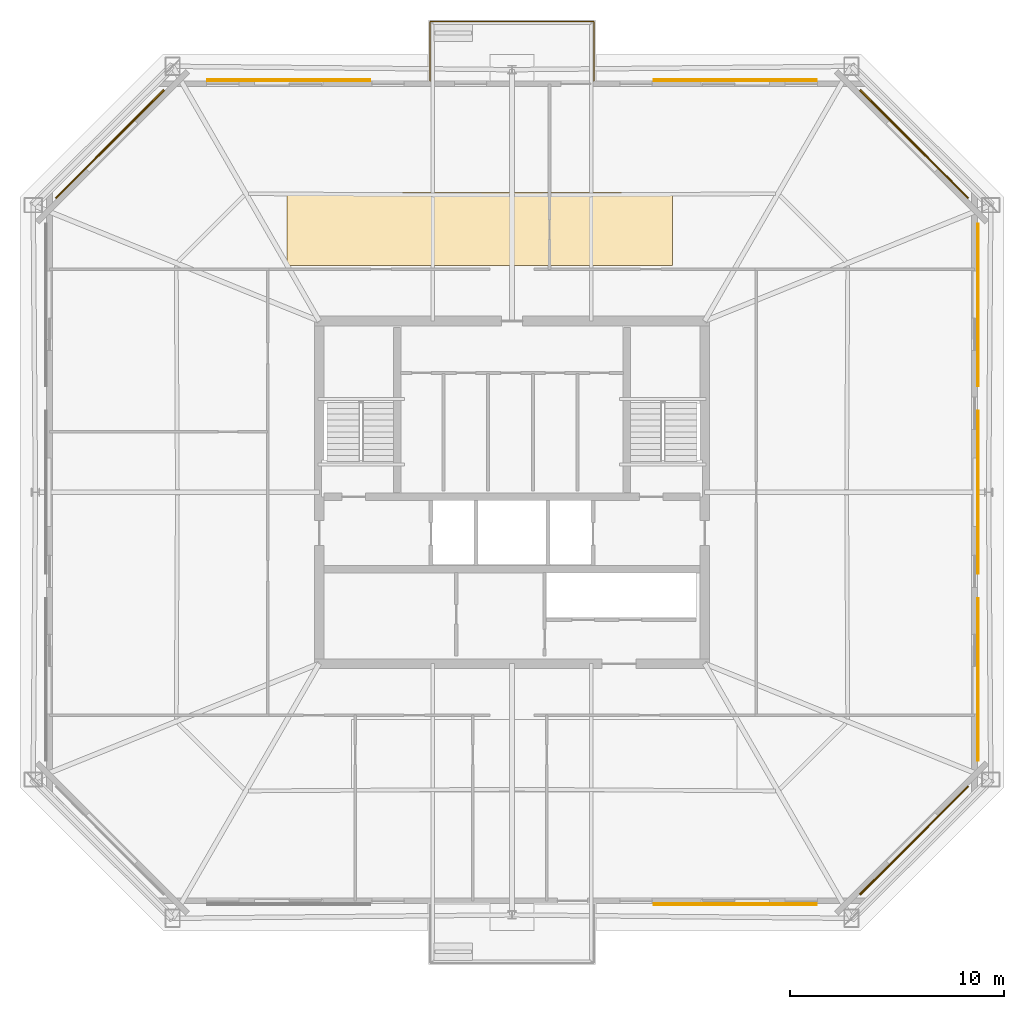
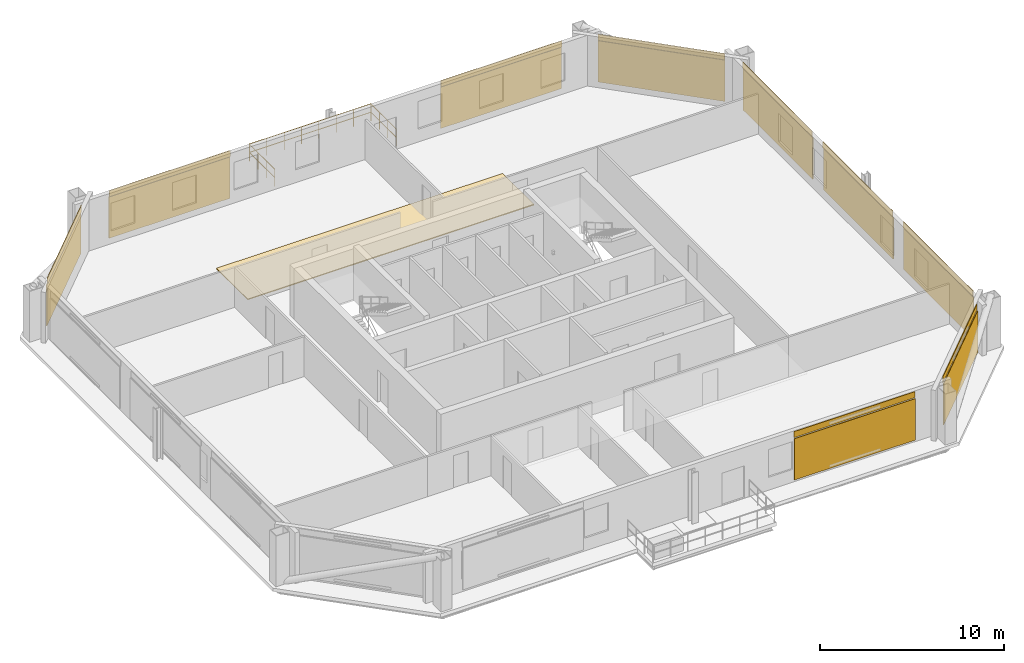
# One storey, part 7 of 7: 10 coverings, 9 shading devices, 1 railing.
"""IFC4 building model written with IfcOpenShell, lengths in metres."""

from ifc_helpers import new_model, si_unit, direction, frame, origin, origin_2d, place, context, subcontext, project, spatial, polyline, rectangle, circle, outline, extrude, material, layer, layer_set, type_object, element, save


model = new_model("IFC4")

# Units and contexts
model_context = context("Model", 3, precision=1e-05, world=origin(), true_north=direction((0.0, 1.0)))
body_context = subcontext(model_context, "Body", "Model", "MODEL_VIEW")
ifc_project = project(units=[si_unit("LENGTHUNIT", "METRE"), si_unit("AREAUNIT", "SQUARE_METRE"), si_unit("VOLUMEUNIT", "CUBIC_METRE"), si_unit("PLANEANGLEUNIT", "RADIAN"), si_unit("MASSUNIT", "GRAM", prefix="KILO")], contexts=[model_context])

# Site, building, storey
site_placement = place(None, origin())
site = spatial("IfcSite", under=ifc_project, at=site_placement, CompositionType="ELEMENT")
building_placement = place(site_placement, origin())
building = spatial("IfcBuilding", under=site, at=building_placement, Name="Caelvoria Tower", CompositionType="ELEMENT")
storey_placement = place(building_placement, frame((0.0, 0.0, 191.39990234375)))
storey = spatial("IfcBuildingStorey", under=building, at=storey_placement, Name="L50", CompositionType="ELEMENT", Elevation=191.39990234375)

# Railing
ifc_material_1 = material(Name="Bronze Anodised Aluminium and Stainless Steel", Category="steel")
railing_type = type_object("IfcRailingType", Name="Exterior Terrace and Balcony Guardrail 1150", PredefinedType="GUARDRAIL", material=ifc_material_1)
railing_placement = place(storey_placement, frame((42.179931640625, 51.219970703125, 0.0)))
element("IfcRailing", 1, at=railing_placement, inside=storey, type_object=railing_type, Name="Tree Balcony Guardrail TB-L50-N", PredefinedType="GUARDRAIL", context=body_context, shape_type="SweptSolid", body=[
    extrude(circle(Radius=0.02392578125, at=origin_2d()), frame((0.0, 0.0, 1.1259765625), z_axis=(0.0, 1.0, 0.0), x_axis=(-1.0, 0.0, 0.0)), (0.0, 0.0, 1.0), 2.760009765625),
    extrude(circle(Radius=0.02392578125, at=origin_2d()), frame((0.0, 0.0, 0.574951171875), z_axis=(0.0, 1.0, 0.0), x_axis=(-1.0, 0.0, 0.0)), (0.0, 0.0, 1.0), 2.760009765625),
    extrude(circle(Radius=0.02392578125, at=origin_2d()), frame((0.0, 2.760009765625, 1.1259765625), z_axis=(1.0, 0.0, 0.0), x_axis=(0.0, 1.0, 0.0)), (0.0, 0.0, 1.0), 7.64013671875),
    extrude(circle(Radius=0.02392578125, at=origin_2d()), frame((0.0, 2.760009765625, 0.574951171875), z_axis=(1.0, 0.0, 0.0), x_axis=(0.0, 1.0, 0.0)), (0.0, 0.0, 1.0), 7.64013671875),
    extrude(circle(Radius=0.02392578125, at=origin_2d()), frame((7.64013671875, 2.760009765625, 1.1259765625), z_axis=(0.0, -1.0, 0.0), x_axis=(1.0, 0.0, 0.0)), (0.0, 0.0, 1.0), 2.760009765625),
    extrude(circle(Radius=0.02392578125, at=origin_2d()), frame((7.64013671875, 2.760009765625, 0.574951171875), z_axis=(0.0, -1.0, 0.0), x_axis=(1.0, 0.0, 0.0)), (0.0, 0.0, 1.0), 2.760009765625),
    extrude(circle(Radius=0.02099609375, at=origin_2d()), origin(), (0.0, 0.0, 1.0), 1.101806640625),
    extrude(circle(Radius=0.02099609375, at=origin_2d()), frame((0.0, 0.919921875, 0.0)), (0.0, 0.0, 1.0), 1.101806640625),
    extrude(circle(Radius=0.02099609375, at=origin_2d()), frame((0.0, 1.840087890625, 0.0)), (0.0, 0.0, 1.0), 1.101806640625),
    extrude(circle(Radius=0.02099609375, at=origin_2d()), frame((0.0, 2.760009765625, 0.0)), (0.0, 0.0, 1.0), 1.101806640625),
    extrude(circle(Radius=0.02099609375, at=origin_2d()), frame((1.091552734375, 2.760009765625, 0.0)), (0.0, 0.0, 1.0), 1.101806640625),
    extrude(circle(Radius=0.02099609375, at=origin_2d()), frame((2.182861328125, 2.760009765625, 0.0)), (0.0, 0.0, 1.0), 1.101806640625),
    extrude(circle(Radius=0.02099609375, at=origin_2d()), frame((3.2744140625, 2.760009765625, 0.0)), (0.0, 0.0, 1.0), 1.101806640625),
    extrude(circle(Radius=0.02099609375, at=origin_2d()), frame((4.36572265625, 2.760009765625, 0.0)), (0.0, 0.0, 1.0), 1.101806640625),
    extrude(circle(Radius=0.02099609375, at=origin_2d()), frame((5.457275390625, 2.760009765625, 0.0)), (0.0, 0.0, 1.0), 1.101806640625),
    extrude(circle(Radius=0.02099609375, at=origin_2d()), frame((6.548583984375, 2.760009765625, 0.0)), (0.0, 0.0, 1.0), 1.101806640625),
    extrude(circle(Radius=0.02099609375, at=origin_2d()), frame((7.64013671875, 2.760009765625, 0.0)), (0.0, 0.0, 1.0), 1.101806640625),
    extrude(circle(Radius=0.02099609375, at=origin_2d()), frame((7.64013671875, 1.840087890625, 0.0)), (0.0, 0.0, 1.0), 1.101806640625),
    extrude(circle(Radius=0.02099609375, at=origin_2d()), frame((7.64013671875, 0.919921875, 0.0)), (0.0, 0.0, 1.0), 1.101806640625),
    extrude(circle(Radius=0.02099609375, at=origin_2d()), frame((7.64013671875, 0.0, 0.0)), (0.0, 0.0, 1.0), 1.101806640625),
])

# Coverings
ifc_material_2 = material(Name="Perforated Architectural Bronze Cladding Screen", Category="bronze")
ifc_layer_1 = layer(ifc_material_2, 0.0400390625, Name="Perforated Architectural Bronze Cladding Screen")
ifc_layer_set_1 = layer_set([ifc_layer_1], Name="Perforated Bronze Louvre Cladding Band 40 - Perforated Architectural Bronze Cladding Screen")
covering_type_1 = type_object("IfcCoveringType", Name="Perforated Bronze Louvre Cladding Band 40", PredefinedType="CLADDING", material=ifc_layer_set_1)
covering_1_placement = place(storey_placement, frame((56.4267578125, 12.775390625, 2.955078125), z_axis=(0.0, 0.0, 1.0), x_axis=(1.0, 0.0, 0.0)))
element("IfcCovering", 2, at=covering_1_placement, inside=storey, type_object=covering_type_1, Name="Perforated Bronze Screen Band L50-E0-02", PredefinedType="CLADDING", context=body_context, shape_type="SweptSolid", body=[
    extrude(rectangle(XDim=7.60009765625, YDim=0.0400390625, at=origin_2d()), origin(), (0.0, 0.0, 1.0), 0.39990234375),
])
covering_2_placement = place(storey_placement, frame((64.766357421875, 15.753662109375, 2.955078125), z_axis=(0.0, 0.0, 1.0), x_axis=(0.707106781187, 0.707106781187, 0.0)))
element("IfcCovering", 3, at=covering_2_placement, inside=storey, type_object=covering_type_1, Name="Perforated Bronze Screen Band L50-E1-00", PredefinedType="CLADDING", context=body_context, shape_type="SweptSolid", body=[
    extrude(rectangle(XDim=7.151611328125, YDim=0.0400390625, at=origin_2d()), origin(), (0.0, 0.0, 1.0), 0.39990234375),
])
for number, where, z_axis, x_axis, name in (
    (4, (67.744384765625, 23.25341796875, 2.955078125), (0.0, 0.0, 1.0), (0.0, 1.0, 0.0), "Perforated Bronze Screen Band L50-E2-00"),
    (5, (67.744384765625, 32.0, 2.955078125), (0.0, 0.0, 1.0), (0.0, 1.0, 0.0), "Perforated Bronze Screen Band L50-E2-01"),
    (6, (67.744384765625, 40.74658203125, 2.955078125), (0.0, 0.0, 1.0), (0.0, 1.0, 0.0), "Perforated Bronze Screen Band L50-E2-02"),
):
    element("IfcCovering", number, at=place(storey_placement, frame(where, z_axis=z_axis, x_axis=x_axis)), inside=storey, type_object=covering_type_1, Name=name, PredefinedType="CLADDING", context=body_context, shape_type="SweptSolid", body=[
        extrude(rectangle(XDim=7.60009765625, YDim=0.0400390625, at=origin_2d()), origin(), (0.0, 0.0, 1.0), 0.39990234375),
    ])
covering_3_placement = place(storey_placement, frame((64.766357421875, 48.246337890625, 2.955078125), z_axis=(0.0, 0.0, 1.0), x_axis=(-0.707106781187, 0.707106781187, 0.0)))
element("IfcCovering", 7, at=covering_3_placement, inside=storey, type_object=covering_type_1, Name="Perforated Bronze Screen Band L50-E3-00", PredefinedType="CLADDING", context=body_context, shape_type="SweptSolid", body=[
    extrude(rectangle(XDim=7.151611328125, YDim=0.0400390625, at=origin_2d()), origin(), (0.0, 0.0, 1.0), 0.39990234375),
])
for number, where, z_axis, x_axis, name in (
    (8, (56.4267578125, 51.224609375, 2.955078125), (0.0, 0.0, 1.0), (-1.0, 0.0, 0.0), "Perforated Bronze Screen Band L50-E4-00"),
    (9, (35.5732421875, 51.224609375, 2.955078125), (0.0, 0.0, 1.0), (-1.0, 0.0, 0.0), "Perforated Bronze Screen Band L50-E4-02"),
):
    element("IfcCovering", number, at=place(storey_placement, frame(where, z_axis=z_axis, x_axis=x_axis)), inside=storey, type_object=covering_type_1, Name=name, PredefinedType="CLADDING", context=body_context, shape_type="SweptSolid", body=[
        extrude(rectangle(XDim=7.60009765625, YDim=0.0400390625, at=origin_2d()), origin(), (0.0, 0.0, 1.0), 0.39990234375),
    ])
covering_4_placement = place(storey_placement, frame((27.233642578125, 48.246337890625, 2.955078125), z_axis=(0.0, 0.0, 1.0), x_axis=(-0.707106781187, -0.707106781187, 0.0)))
element("IfcCovering", 10, at=covering_4_placement, inside=storey, type_object=covering_type_1, Name="Perforated Bronze Screen Band L50-E5-00", PredefinedType="CLADDING", context=body_context, shape_type="SweptSolid", body=[
    extrude(rectangle(XDim=7.151611328125, YDim=0.0400390625, at=origin_2d()), origin(), (0.0, 0.0, 1.0), 0.39990234375),
])

# Shading devices
ifc_material_3 = material(Name="Perforated Architectural Bronze Alloy Panel", Category="bronze")
ifc_layer_2 = layer(ifc_material_3, 0.044921875, Name="Perforated Architectural Bronze Alloy Panel")
ifc_layer_set_2 = layer_set([ifc_layer_2], Name="Perforated Bronze Solar Screen Panel SCREEN - Perforated Architectural Bronze Alloy Panel")
shading_device_type = type_object("IfcShadingDeviceType", Name="Perforated Bronze Solar Screen Panel SCREEN", PredefinedType="USERDEFINED", material=ifc_layer_set_2)
shading_device_1_placement = place(storey_placement, frame((56.4267578125, 12.732421875, 0.16015625), z_axis=(0.0, 0.0, 1.0), x_axis=(1.0, 0.0, 0.0)))
element("IfcShadingDevice", 11, at=shading_device_1_placement, inside=storey, type_object=shading_device_type, Name="Perforated Bronze Solar Screen L50-E0-02", ObjectType="SCREEN", PredefinedType="USERDEFINED", context=body_context, shape_type="SweptSolid", body=[
    extrude(rectangle(XDim=7.60009765625, YDim=0.044921875, at=origin_2d()), origin(), (0.0, 0.0, 1.0), 2.75),
])
shading_device_2_placement = place(storey_placement, frame((64.796875, 15.72314453125, 0.16015625), z_axis=(0.0, 0.0, 1.0), x_axis=(0.707106781187, 0.707106781187, 0.0)))
element("IfcShadingDevice", 12, at=shading_device_2_placement, inside=storey, type_object=shading_device_type, Name="Perforated Bronze Solar Screen L50-E1-00", ObjectType="SCREEN", PredefinedType="USERDEFINED", context=body_context, shape_type="SweptSolid", body=[
    extrude(rectangle(XDim=7.151611328125, YDim=0.044921875, at=origin_2d()), origin(), (0.0, 0.0, 1.0), 2.75),
])
for number, where, z_axis, x_axis, name in (
    (13, (67.78759765625, 23.25341796875, 0.16015625), (0.0, 0.0, 1.0), (0.0, 1.0, 0.0), "Perforated Bronze Solar Screen L50-E2-00"),
    (14, (67.78759765625, 32.0, 0.16015625), (0.0, 0.0, 1.0), (0.0, 1.0, 0.0), "Perforated Bronze Solar Screen L50-E2-01"),
    (15, (67.78759765625, 40.74658203125, 0.16015625), (0.0, 0.0, 1.0), (0.0, 1.0, 0.0), "Perforated Bronze Solar Screen L50-E2-02"),
):
    element("IfcShadingDevice", number, at=place(storey_placement, frame(where, z_axis=z_axis, x_axis=x_axis)), inside=storey, type_object=shading_device_type, Name=name, ObjectType="SCREEN", PredefinedType="USERDEFINED", context=body_context, shape_type="SweptSolid", body=[
        extrude(rectangle(XDim=7.60009765625, YDim=0.044921875, at=origin_2d()), origin(), (0.0, 0.0, 1.0), 2.75),
    ])
shading_device_3_placement = place(storey_placement, frame((64.796875, 48.27685546875, 0.16015625), z_axis=(0.0, 0.0, 1.0), x_axis=(-0.707106781187, 0.707106781187, 0.0)))
element("IfcShadingDevice", 16, at=shading_device_3_placement, inside=storey, type_object=shading_device_type, Name="Perforated Bronze Solar Screen L50-E3-00", ObjectType="SCREEN", PredefinedType="USERDEFINED", context=body_context, shape_type="SweptSolid", body=[
    extrude(rectangle(XDim=7.151611328125, YDim=0.044921875, at=origin_2d()), origin(), (0.0, 0.0, 1.0), 2.75),
])
for number, where, z_axis, x_axis, name in (
    (17, (56.4267578125, 51.267578125, 0.16015625), (0.0, 0.0, 1.0), (-1.0, 0.0, 0.0), "Perforated Bronze Solar Screen L50-E4-00"),
    (18, (35.5732421875, 51.267578125, 0.16015625), (0.0, 0.0, 1.0), (-1.0, 0.0, 0.0), "Perforated Bronze Solar Screen L50-E4-02"),
):
    element("IfcShadingDevice", number, at=place(storey_placement, frame(where, z_axis=z_axis, x_axis=x_axis)), inside=storey, type_object=shading_device_type, Name=name, ObjectType="SCREEN", PredefinedType="USERDEFINED", context=body_context, shape_type="SweptSolid", body=[
        extrude(rectangle(XDim=7.60009765625, YDim=0.044921875, at=origin_2d()), origin(), (0.0, 0.0, 1.0), 2.75),
    ])
shading_device_4_placement = place(storey_placement, frame((27.203125, 48.27685546875, 0.16015625), z_axis=(0.0, 0.0, 1.0), x_axis=(-0.707106781187, -0.707106781187, 0.0)))
element("IfcShadingDevice", 19, at=shading_device_4_placement, inside=storey, type_object=shading_device_type, Name="Perforated Bronze Solar Screen L50-E5-00", ObjectType="SCREEN", PredefinedType="USERDEFINED", context=body_context, shape_type="SweptSolid", body=[
    extrude(rectangle(XDim=7.151611328125, YDim=0.044921875, at=origin_2d()), origin(), (0.0, 0.0, 1.0), 2.75),
])

# Covering
ifc_material_4 = material(Name="Calcium-Sulphate Raised Floor Tile", Category="gypsum")
ifc_layer_3 = layer(ifc_material_4, 0.06005859375, Name="Calcium-Sulphate Raised Floor Tile")
ifc_layer_set_3 = layer_set([ifc_layer_3], Name="Raised Access Office Floor System 120 - Calcium-Sulphate Raised Floor Tile")
covering_type_2 = type_object("IfcCoveringType", Name="Raised Access Office Floor System 120", PredefinedType="FLOORING", material=ifc_layer_set_3)
covering_5_placement = place(storey_placement, origin())
element("IfcCovering", 20, at=covering_5_placement, inside=storey, type_object=covering_type_2, Name="Raised Access Flooring L50", PredefinedType="FLOORING", context=body_context, shape_type="SweptSolid", body=[
    extrude(outline(polyline([(35.5, 42.60009765625), (53.5, 42.60009765625), (53.5, 46.0), (35.5, 46.0), (35.5, 42.60009765625)])), origin(), (0.0, 0.0, 1.0), 0.06005859375),
])

save(model, "model.ifc")
